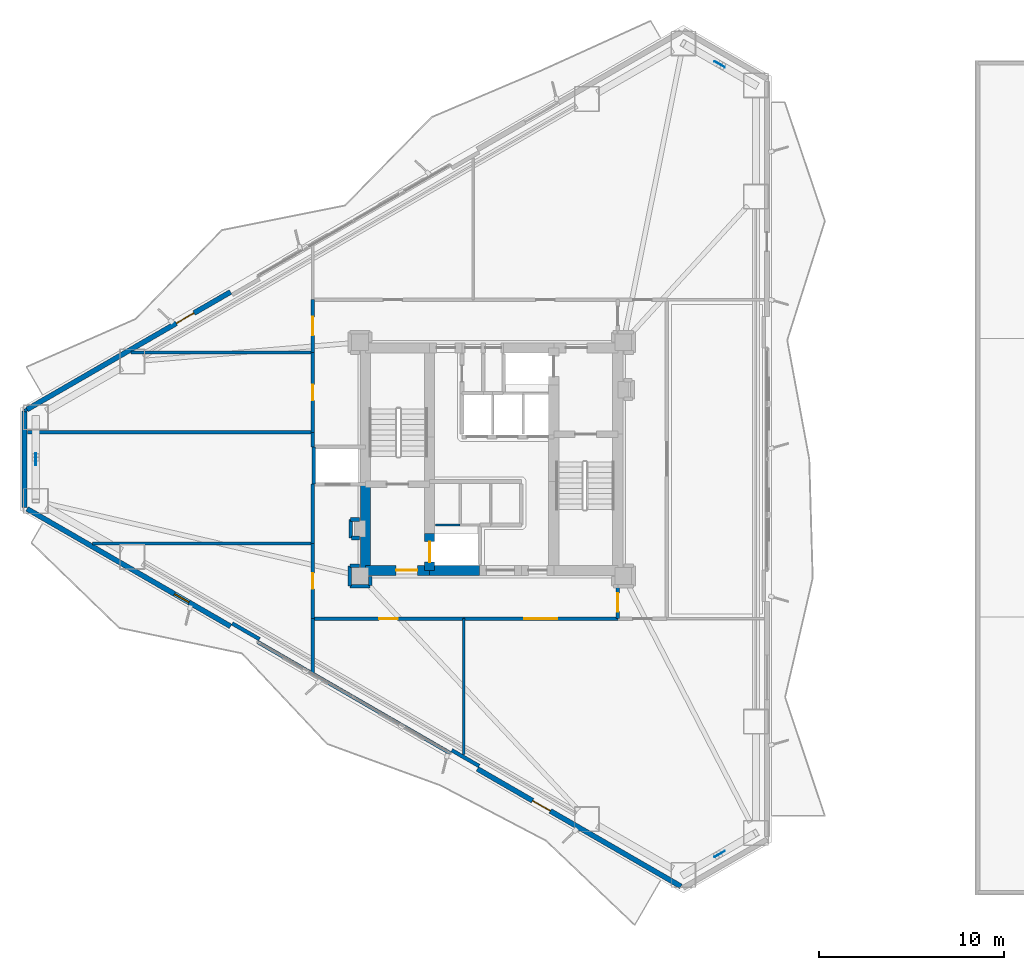
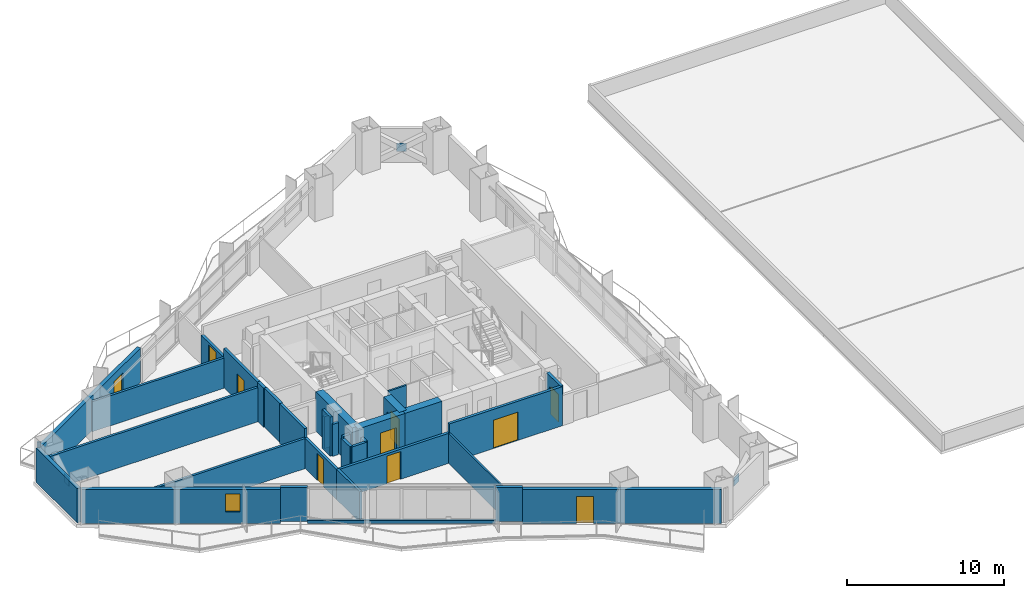
# One storey, part 11 of 16: 34 walls, 10 doors, 3 plates, 1 window, 11 openings.
"""IFC4 building model written with IfcOpenShell, lengths in metres."""

from ifc_helpers import new_model, si_unit, direction, frame, frame_2d, origin, origin_2d, place, context, subcontext, project, spatial, rectangle, extrude, material, layer, layer_set, type_object, element, fill, save


model = new_model("IFC4")

# Units and contexts
model_context = context("Model", 3, precision=1e-05, world=origin(), true_north=direction((0.0, 1.0)))
body_context = subcontext(model_context, "Body", "Model", "MODEL_VIEW")
ifc_project = project(units=[si_unit("LENGTHUNIT", "METRE"), si_unit("AREAUNIT", "SQUARE_METRE"), si_unit("VOLUMEUNIT", "CUBIC_METRE"), si_unit("PLANEANGLEUNIT", "RADIAN"), si_unit("MASSUNIT", "GRAM", prefix="KILO")], contexts=[model_context])

# Site, building, storey
site_placement = place(None, origin())
site = spatial("IfcSite", under=ifc_project, at=site_placement, CompositionType="ELEMENT")
building_placement = place(site_placement, origin())
building = spatial("IfcBuilding", under=site, at=building_placement, Name="Mersakhor Tower and Convention Hall", CompositionType="ELEMENT")
storey_placement = place(building_placement, frame((0.0, 0.0, 19.199951171875)))
storey = spatial("IfcBuildingStorey", under=building, at=storey_placement, Name="L04", CompositionType="ELEMENT", Elevation=19.199951171875)

# Plates
ifc_material_1 = material(Name="Steel S460", Category="steel")
ifc_layer_1 = layer(ifc_material_1, 0.0400390625)
ifc_layer_set_1 = layer_set([ifc_layer_1], Name="Steel S460")
plate_type = type_object("IfcPlateType", Name="PL-GUSSET-40", PredefinedType="SHEET", material=ifc_layer_set_1)
for number, where, z_axis, x_axis, name in (
    (1, (41.29345703125, 48.04296875, 1.2001953125), (0.0, 0.0, 1.0), (-0.866025403784, 0.5, 0.0), "L04 X-Brace Crossing Gusset Node Plate"),
    (2, (41.29345703125, 5.45703125, 1.2001953125), (0.0, 0.0, 1.0), (0.866025403784, 0.5, 0.0), "L04 X-Brace Crossing Gusset Node Plate"),
    (3, (4.4130859375, 26.75, 1.2001953125), (0.0, 0.0, 1.0), (0.0, -1.0, 0.0), "L04 X-Brace Crossing Gusset Node Plate"),
):
    element("IfcPlate", number, at=place(storey_placement, frame(where, z_axis=z_axis, x_axis=x_axis)), inside=storey, type_object=plate_type, Name=name, PredefinedType="SHEET", context=body_context, shape_type="SweptSolid", body=[
        extrude(rectangle(XDim=0.639892578125, YDim=0.0400390625, at=origin_2d()), origin(), (0.0, 0.0, 1.0), 0.639892578125),
    ])

# Wall
ifc_material_2 = material(Name="Precast concrete C45/55", Category="concrete")
ifc_layer_2 = layer(ifc_material_2, 0.27490234375)
ifc_layer_set_2 = layer_set([ifc_layer_2], Name="Precast concrete C45/55")
wall_type_1 = type_object("IfcWallType", Name="WL-EXT-275", PredefinedType="SOLIDWALL", material=ifc_layer_set_2)
wall_1_placement = place(storey_placement, frame((3.81298828125, 24.144287109375, 0.0), z_axis=(0.0, 0.0, 1.0), x_axis=(0.0, 1.0, 0.0)))
element("IfcWall", 4, at=wall_1_placement, inside=storey, type_object=wall_type_1, Name="L04 Chamfer Braced Spandrel Wall C3", PredefinedType="SOLIDWALL", context=body_context, shape_type="SweptSolid", body=[
    extrude(rectangle(XDim=5.21142578125, YDim=0.27490234375, at=frame_2d((2.605712890625, 0.0))), origin(), (0.0, 0.0, 1.0), 2.66015625),
])

# Wall, opening, door
wall_2_placement = place(storey_placement, frame((3.943115234375, 29.4306640625, 0.0), z_axis=(0.0, 0.0, 1.0), x_axis=(0.866027105532, 0.499997052475, 0.0)))
wall_2 = element("IfcWall", 5, at=wall_2_placement, inside=storey, type_object=wall_type_1, Name="L04 Exterior Facade Wall F1-B1", PredefinedType="SOLIDWALL", context=body_context, shape_type="SweptSolid", body=[
    extrude(rectangle(XDim=12.6728515625, YDim=0.27490234375, at=frame_2d((6.33642578125, 0.0))), origin(), (0.0, 0.0, 1.0), 2.66015625),
])
opening_1_placement = place(wall_2_placement, frame((9.298095703125, 0.0, 0.0)))
opening_1 = element("IfcOpeningElement", 6, at=opening_1_placement, cuts=wall_2, Name="Opening BD-02", PredefinedType="OPENING", context=body_context, shape_type="SweptSolid", body=[
    extrude(rectangle(XDim=1.10009765625, YDim=2.10009765625, at=frame_2d((0.550048828125, 1.050048828125))), frame((0.0, 0.1474609375, 0.0), z_axis=(0.0, -1.0, 0.0), x_axis=(1.0, 0.0, 0.0)), (0.0, 0.0, 1.0), 0.294921875),
])
ifc_material_3 = material(Name="Thermally broken dark aluminium and safety glass", Category="aluminium")
door_type_1 = type_object("IfcDoorType", Name="DR-BAL-110x210", OperationType="NOTDEFINED", PredefinedType="DOOR", material=ifc_material_3)
door_1_placement = place(opening_1_placement, origin())
door_1 = element("IfcDoor", 7, at=door_1_placement, inside=storey, type_object=door_type_1, Name="L04 Balcony Terrace Door F1-B1", OperationType="SINGLE_SWING_RIGHT", OverallHeight=2.10009765625, OverallWidth=1.10009765625, PredefinedType="DOOR", context=body_context, shape_type="SweptSolid", body=[
    extrude(rectangle(XDim=1.10009765625, YDim=2.10009765625, at=frame_2d((0.550048828125, 1.050048828125))), frame((0.0, 0.02490234375, 0.0), z_axis=(0.0, -1.0, 0.0), x_axis=(1.0, 0.0, 0.0)), (0.0, 0.0, 1.0), 0.050048828125),
])
fill(opening_1, door_1)

wall_3_placement = place(storey_placement, frame((39.20703125, 3.709716796875, 0.0), z_axis=(0.0, 0.0, 1.0), x_axis=(-0.86603192154, 0.499988710747, 0.0)))
wall_3 = element("IfcWall", 8, at=wall_3_placement, inside=storey, type_object=wall_type_1, Name="L04 Exterior Facade Wall F3-B1", PredefinedType="SOLIDWALL", context=body_context, shape_type="SweptSolid", body=[
    extrude(rectangle(XDim=12.673095703125, YDim=0.27490234375, at=frame_2d((6.33642578125, 0.0))), origin(), (0.0, 0.0, 1.0), 2.66015625),
])
opening_2_placement = place(wall_3_placement, frame((8.135986328125, 0.0, 0.0)))
opening_2 = element("IfcOpeningElement", 9, at=opening_2_placement, cuts=wall_3, Name="Opening BD-02", PredefinedType="OPENING", context=body_context, shape_type="SweptSolid", body=[
    extrude(rectangle(XDim=1.10009765625, YDim=2.10009765625, at=frame_2d((0.550048828125, 1.050048828125))), frame((0.0, 0.1474609375, 0.0), z_axis=(0.0, -1.0, 0.0), x_axis=(1.0, 0.0, 0.0)), (0.0, 0.0, 1.0), 0.294921875),
])
door_2_placement = place(opening_2_placement, origin())
door_2 = element("IfcDoor", 10, at=door_2_placement, inside=storey, type_object=door_type_1, Name="L04 Balcony Terrace Door F3-B1", OperationType="SINGLE_SWING_RIGHT", OverallHeight=2.10009765625, OverallWidth=1.10009765625, PredefinedType="DOOR", context=body_context, shape_type="SweptSolid", body=[
    extrude(rectangle(XDim=1.10009765625, YDim=2.10009765625, at=frame_2d((0.550048828125, 1.050048828125))), frame((0.0, 0.02490234375, 0.0), z_axis=(0.0, -1.0, 0.0), x_axis=(1.0, 0.0, 0.0)), (0.0, 0.0, 1.0), 0.050048828125),
])
fill(opening_2, door_2)

# Wall, opening, window
wall_4_placement = place(storey_placement, frame((14.918212890625, 17.73291015625, 0.0), z_axis=(0.0, 0.0, 1.0), x_axis=(-0.866027105532, 0.499997052475, 0.0)))
wall_4 = element("IfcWall", 11, at=wall_4_placement, inside=storey, type_object=wall_type_1, Name="L04 Exterior Facade Wall F3-B3", PredefinedType="SOLIDWALL", context=body_context, shape_type="SweptSolid", body=[
    extrude(rectangle(XDim=12.6728515625, YDim=0.27490234375, at=frame_2d((6.33642578125, 0.0))), origin(), (0.0, 0.0, 1.0), 2.66015625),
])
opening_3_placement = place(wall_4_placement, frame((2.590087890625, 0.0, 0.89990234375)))
opening_3 = element("IfcOpeningElement", 12, at=opening_3_placement, cuts=wall_4, Name="Opening W-06", PredefinedType="OPENING", context=body_context, shape_type="SweptSolid", body=[
    extrude(rectangle(XDim=0.89990234375, YDim=1.39990234375, at=frame_2d((0.449951171875, 0.699951171875))), frame((0.0, 0.1474609375, 0.0), z_axis=(0.0, -1.0, 0.0), x_axis=(1.0, 0.0, 0.0)), (0.0, 0.0, 1.0), 0.294921875),
])
ifc_material_4 = material(Name="Dark solar low-E glazed aluminium window", Category="aluminium")
window_type = type_object("IfcWindowType", Name="WN-STD-090x140", PartitioningType="SINGLE_PANEL", PredefinedType="WINDOW", material=ifc_material_4)
window_placement = place(opening_3_placement, origin())
window = element("IfcWindow", 13, at=window_placement, inside=storey, type_object=window_type, Name="L04 Facade Punched Window F3-B3", OverallHeight=1.39990234375, OverallWidth=0.89990234375, PartitioningType="SINGLE_PANEL", PredefinedType="WINDOW", context=body_context, shape_type="SweptSolid", body=[
    extrude(rectangle(XDim=0.89990234375, YDim=1.39990234375, at=frame_2d((0.449951171875, 0.699951171875))), frame((0.0, 0.030029296875, 0.0), z_axis=(0.0, -1.0, 0.0), x_axis=(1.0, 0.0, 0.0)), (0.0, 0.0, 1.0), 0.06005859375),
])
fill(opening_3, window)

# Walls
ifc_material_5 = material(Name="Precast concrete C40/50", Category="concrete")
ifc_layer_3 = layer(ifc_material_5, 0.199951171875)
ifc_layer_set_3 = layer_set([ifc_layer_3], Name="Precast concrete C40/50")
wall_type_2 = type_object("IfcWallType", Name="WL-PAR-200", PredefinedType="PARAPET", material=ifc_layer_set_3)
wall_5_placement = place(storey_placement, frame((26.759521484375, 10.896240234375, 0.0), z_axis=(0.0, 0.0, 1.0), x_axis=(-0.866027351828, 0.499996625875, 0.0)))
element("IfcWall", 14, at=wall_5_placement, inside=storey, type_object=wall_type_2, Name="L04 Curtain Wall Upstand Sill F3-B2", PredefinedType="PARAPET", context=body_context, shape_type="SweptSolid", body=[
    extrude(rectangle(XDim=11.97314453125, YDim=0.199951171875, at=frame_2d((5.986572265625, 0.0))), origin(), (0.0, 0.0, 1.0), 0.199951171875),
])
for number, where, z_axis, x_axis, name in (
    (15, (28.32177734375, 10.2021484375, 0.0), (0.0, 0.0, 1.0), (-0.86605165483, 0.499954529098, 0.0), "L04 Column Pier Cladding Wall F3-C1"),
    (16, (16.48046875, 17.038818359375, 0.0), (0.0, 0.0, 1.0), (-0.86605165483, 0.499954529098, 0.0), "L04 Column Pier Cladding Wall F3-C2"),
):
    element("IfcWall", number, at=place(storey_placement, frame(where, z_axis=z_axis, x_axis=x_axis)), inside=storey, type_object=wall_type_2, Name=name, PredefinedType="PARAPET", context=body_context, shape_type="SweptSolid", body=[
        extrude(rectangle(XDim=1.699951171875, YDim=0.199951171875, at=frame_2d((0.85009765625, 0.0))), origin(), (0.0, 0.0, 1.0), 2.66015625),
    ])
ifc_material_6 = material(Name="Moisture-resistant acoustic drywall studwork", Category="other")
ifc_layer_4 = layer(ifc_material_6, 0.175048828125)
ifc_layer_set_4 = layer_set([ifc_layer_4], Name="Moisture-resistant acoustic drywall studwork")
wall_type_3 = type_object("IfcWallType", Name="WL-PLM-175", PredefinedType="PLUMBINGWALL", material=ifc_layer_set_4)
wall_6_placement = place(storey_placement, frame((19.35009765625, 18.14990234375, 0.0), z_axis=(0.0, 0.0, 1.0), x_axis=(0.0, -1.0, 0.0)))
element("IfcWall", 17, at=wall_6_placement, inside=storey, type_object=wall_type_3, Name="L04 Interior Partition Wall P-057", PredefinedType="PLUMBINGWALL", context=body_context, shape_type="SweptSolid", body=[
    extrude(rectangle(XDim=2.9296875, YDim=0.175048828125, at=frame_2d((1.46484375, 0.0))), origin(), (0.0, 0.0, 1.0), 2.364990234375),
])
wall_7_placement = place(storey_placement, frame((7.474365234375, 22.199951171875, 0.0), z_axis=(0.0, 0.0, 1.0), x_axis=(1.0, 0.0, 0.0)))
element("IfcWall", 18, at=wall_7_placement, inside=storey, type_object=wall_type_3, Name="L04 Interior Partition Wall P-058", PredefinedType="PLUMBINGWALL", context=body_context, shape_type="SweptSolid", body=[
    extrude(rectangle(XDim=11.875732421875, YDim=0.175048828125, at=frame_2d((5.93798828125, 0.0))), origin(), (0.0, 0.0, 1.0), 2.337646484375),
])
wall_8_placement = place(storey_placement, frame((9.552734375, 32.5, 0.0), z_axis=(0.0, 0.0, 1.0), x_axis=(1.0, 0.0, 0.0)))
element("IfcWall", 19, at=wall_8_placement, inside=storey, type_object=wall_type_3, Name="L04 Interior Partition Wall P-059", PredefinedType="PLUMBINGWALL", context=body_context, shape_type="SweptSolid", body=[
    extrude(rectangle(XDim=9.79736328125, YDim=0.175048828125, at=frame_2d((4.898681640625, 0.0))), origin(), (0.0, 0.0, 1.0), 2.337646484375),
])
wall_9_placement = place(storey_placement, frame((19.35009765625, 28.199951171875, 0.0), z_axis=(0.0, 0.0, 1.0), x_axis=(-1.0, 0.0, 0.0)))
element("IfcWall", 20, at=wall_9_placement, inside=storey, type_object=wall_type_3, Name="L04 Interior Partition Wall P-060", PredefinedType="PLUMBINGWALL", context=body_context, shape_type="SweptSolid", body=[
    extrude(rectangle(XDim=15.37548828125, YDim=0.175048828125, at=frame_2d((7.687744140625, 0.0))), origin(), (0.0, 0.0, 1.0), 2.650390625),
])
wall_10_placement = place(storey_placement, frame((3.81298828125, 29.35595703125, 0.0), z_axis=(0.0, 0.0, 1.0), x_axis=(0.866131372301, 0.499816412211, 0.0)))
element("IfcWall", 21, at=wall_10_placement, inside=storey, type_object=wall_type_3, Name="L04 Interior Partition Wall P-061", PredefinedType="PLUMBINGWALL", context=body_context, shape_type="SweptSolid", body=[
    extrude(rectangle(XDim=0.14990234375, YDim=0.175048828125, at=frame_2d((0.074951171875, 0.0))), origin(), (0.0, 0.0, 1.0), 3.0400390625),
])
ifc_material_7 = material(Name="Gypsum board acoustic partition", Category="other")
ifc_layer_5 = layer(ifc_material_7, 0.125)
ifc_layer_set_5 = layer_set([ifc_layer_5], Name="Gypsum board acoustic partition")
wall_type_4 = type_object("IfcWallType", Name="WL-PRT-125", PredefinedType="PARTITIONING", material=ifc_layer_set_5)
wall_11_placement = place(storey_placement, frame((25.97509765625, 23.199951171875, 0.0), z_axis=(0.0, 0.0, 1.0), x_axis=(1.0, 0.0, 0.0)))
element("IfcWall", 22, at=wall_11_placement, inside=storey, type_object=wall_type_4, Name="L04 Interior Partition Wall P-001", PredefinedType="PARTITIONING", context=body_context, shape_type="SweptSolid", body=[
    extrude(rectangle(XDim=1.324951171875, YDim=0.125, at=frame_2d((0.66259765625, 0.0))), origin(), (0.0, 0.0, 1.0), 3.0400390625),
])
wall_12_placement = place(storey_placement, frame((27.5, 10.819580078125, 0.0), z_axis=(0.0, 0.0, 1.0), x_axis=(0.0, 1.0, 0.0)))
element("IfcWall", 23, at=wall_12_placement, inside=storey, type_object=wall_type_4, Name="L04 Interior Partition Wall P-067", PredefinedType="PARTITIONING", context=body_context, shape_type="SweptSolid", body=[
    extrude(rectangle(XDim=7.330322265625, YDim=0.125, at=frame_2d((3.6650390625, 0.0))), origin(), (0.0, 0.0, 1.0), 2.337646484375),
])
ifc_material_8 = material(Name="Acoustic concrete blockwork and gypsum board", Category="masonry")
ifc_layer_6 = layer(ifc_material_8, 0.199951171875)
ifc_layer_set_6 = layer_set([ifc_layer_6], Name="Acoustic concrete blockwork and gypsum board")
wall_type_5 = type_object("IfcWallType", Name="WL-PRT-200", PredefinedType="PARTITIONING", material=ifc_layer_set_6)
wall_13_placement = place(storey_placement, frame((19.39990234375, 25.39990234375, 0.0), z_axis=(0.0, 0.0, 1.0), x_axis=(0.0, 1.0, 0.0)))
element("IfcWall", 24, at=wall_13_placement, inside=storey, type_object=wall_type_5, Name="L04 Clinic Lift West Wall", PredefinedType="PARTITIONING", context=body_context, shape_type="SweptSolid", body=[
    extrude(rectangle(XDim=2.0, YDim=0.199951171875, at=frame_2d((1.0, 0.0))), origin(), (0.0, 0.0, 1.0), 3.0400390625),
])
wall_14_placement = place(storey_placement, frame((21.875, 21.0, 0.0), z_axis=(0.0, 0.0, 1.0), x_axis=(-1.0, 0.0, 0.0)))
element("IfcWall", 25, at=wall_14_placement, inside=storey, type_object=wall_type_5, Name="L04 Interior Partition Wall P-019", PredefinedType="PARTITIONING", context=body_context, shape_type="SweptSolid", body=[
    extrude(rectangle(XDim=0.52490234375, YDim=0.199951171875, at=frame_2d((0.262451171875, 0.0))), origin(), (0.0, 0.0, 1.0), 2.48828125),
])
wall_15_placement = place(storey_placement, frame((21.35009765625, 21.0, 0.0), z_axis=(0.0, 0.0, 1.0), x_axis=(0.0, -1.0, 0.0)))
element("IfcWall", 26, at=wall_15_placement, inside=storey, type_object=wall_type_5, Name="L04 Interior Partition Wall P-020", PredefinedType="PARTITIONING", context=body_context, shape_type="SweptSolid", body=[
    extrude(rectangle(XDim=1.10009765625, YDim=0.199951171875, at=frame_2d((0.550048828125, 0.0))), origin(), (0.0, 0.0, 1.0), 2.337646484375),
])
wall_16_placement = place(storey_placement, frame((21.35009765625, 19.89990234375, 0.0), z_axis=(0.0, 0.0, 1.0), x_axis=(1.0, 0.0, 0.0)))
element("IfcWall", 27, at=wall_16_placement, inside=storey, type_object=wall_type_5, Name="L04 Interior Partition Wall P-021", PredefinedType="PARTITIONING", context=body_context, shape_type="SweptSolid", body=[
    extrude(rectangle(XDim=1.099853515625, YDim=0.199951171875, at=frame_2d((0.5498046875, 0.0))), origin(), (0.0, 0.0, 1.0), 2.337646484375),
])
wall_17_placement = place(storey_placement, frame((22.449951171875, 19.929931640625, 0.0), z_axis=(0.0, 0.0, 1.0), x_axis=(0.0, 1.0, 0.0)))
element("IfcWall", 28, at=wall_17_placement, inside=storey, type_object=wall_type_5, Name="L04 Interior Partition Wall P-022", PredefinedType="PARTITIONING", context=body_context, shape_type="SweptSolid", body=[
    extrude(rectangle(XDim=0.4951171875, YDim=0.199951171875, at=frame_2d((0.24755859375, 0.0))), origin(), (0.0, 0.0, 1.0), 2.337646484375),
])

# Wall, opening, door
wall_18_placement = place(storey_placement, frame((35.800048828125, 19.89990234375, 0.0), z_axis=(0.0, 0.0, 1.0), x_axis=(0.0, -1.0, 0.0)))
wall_18 = element("IfcWall", 29, at=wall_18_placement, inside=storey, type_object=wall_type_5, Name="L04 Interior Partition Wall P-025", PredefinedType="PARTITIONING", context=body_context, shape_type="SweptSolid", body=[
    extrude(rectangle(XDim=1.75, YDim=0.199951171875, at=frame_2d((0.875, 0.0))), origin(), (0.0, 0.0, 1.0), 3.0400390625),
])
opening_4_placement = place(wall_18_placement, frame((0.375, 0.0, 0.0)))
opening_4 = element("IfcOpeningElement", 30, at=opening_4_placement, cuts=wall_18, Name="Opening FD-01", PredefinedType="OPENING", context=body_context, shape_type="SweptSolid", body=[
    extrude(rectangle(XDim=1.0, YDim=2.14990234375, at=frame_2d((0.5, 1.074951171875))), frame((0.0, 0.10986328125, 0.0), z_axis=(0.0, -1.0, 0.0), x_axis=(1.0, 0.0, 0.0)), (0.0, 0.0, 1.0), 0.219970703125),
])
ifc_material_9 = material(Name="Fire-rated hardwood leaf and painted steel frame", Category="steel")
door_type_2 = type_object("IfcDoorType", Name="DR-INT-FLT-100x215", OperationType="NOTDEFINED", PredefinedType="DOOR", material=ifc_material_9)
door_3_placement = place(opening_4_placement, origin())
door_3 = element("IfcDoor", 31, at=door_3_placement, inside=storey, type_object=door_type_2, Name="L04 Ring Corridor Fire Door", OperationType="SINGLE_SWING_LEFT", OverallHeight=2.14990234375, OverallWidth=1.0, PredefinedType="DOOR", context=body_context, shape_type="SweptSolid", body=[
    extrude(rectangle(XDim=1.0, YDim=2.14990234375, at=frame_2d((0.5, 1.074951171875))), frame((0.0, 0.02490234375, 0.0), z_axis=(0.0, -1.0, 0.0), x_axis=(1.0, 0.0, 0.0)), (0.0, 0.0, 1.0), 0.050048828125),
])
fill(opening_4, door_3)

wall_19_placement = place(storey_placement, frame((35.800048828125, 18.14990234375, 0.0), z_axis=(0.0, 0.0, 1.0), x_axis=(-1.0, 0.0, 0.0)))
wall_19 = element("IfcWall", 32, at=wall_19_placement, inside=storey, type_object=wall_type_5, Name="L04 Interior Partition Wall P-026", PredefinedType="PARTITIONING", context=body_context, shape_type="SweptSolid", body=[
    extrude(rectangle(XDim=8.300048828125, YDim=0.199951171875, at=frame_2d((4.14990234375, 0.0))), origin(), (0.0, 0.0, 1.0), 3.0400390625),
])
opening_5_placement = place(wall_19_placement, frame((3.25, 0.0, 0.0)))
opening_5 = element("IfcOpeningElement", 33, at=opening_5_placement, cuts=wall_19, Name="Opening HD-01", PredefinedType="OPENING", context=body_context, shape_type="SweptSolid", body=[
    extrude(rectangle(XDim=1.800048828125, YDim=2.199951171875, at=frame_2d((0.89990234375, 1.10009765625))), frame((0.0, 0.10986328125, 0.0), z_axis=(0.0, -1.0, 0.0), x_axis=(1.0, 0.0, 0.0)), (0.0, 0.0, 1.0), 0.219970703125),
])
ifc_material_10 = material(Name="Fire-rated hardwood leaf and painted steel frame", Category="steel")
door_type_3 = type_object("IfcDoorType", Name="DR-INT-HALL-180x220", OperationType="NOTDEFINED", PredefinedType="DOOR", material=ifc_material_10)
door_4_placement = place(opening_5_placement, origin())
door_4 = element("IfcDoor", 34, at=door_4_placement, inside=storey, type_object=door_type_3, Name="L04 L04 Sky-Lobby Corridor to Community Health Seminar Room Door", OperationType="DOUBLE_DOOR_SINGLE_SWING", OverallHeight=2.199951171875, OverallWidth=1.800048828125, PredefinedType="DOOR", context=body_context, shape_type="SweptSolid", body=[
    extrude(rectangle(XDim=1.800048828125, YDim=2.199951171875, at=frame_2d((0.89990234375, 1.10009765625))), frame((0.0, 0.02490234375, 0.0), z_axis=(0.0, -1.0, 0.0), x_axis=(1.0, 0.0, 0.0)), (0.0, 0.0, 1.0), 0.050048828125),
])
fill(opening_5, door_4)

wall_20_placement = place(storey_placement, frame((27.5, 18.14990234375, 0.0), z_axis=(0.0, 0.0, 1.0), x_axis=(-1.0, 0.0, 0.0)))
wall_20 = element("IfcWall", 35, at=wall_20_placement, inside=storey, type_object=wall_type_5, Name="L04 Interior Partition Wall P-027", PredefinedType="PARTITIONING", context=body_context, shape_type="SweptSolid", body=[
    extrude(rectangle(XDim=8.14990234375, YDim=0.199951171875, at=frame_2d((4.074951171875, 0.0))), origin(), (0.0, 0.0, 1.0), 2.337646484375),
])
opening_6_placement = place(wall_20_placement, frame((3.574951171875, 0.0, 0.0)))
opening_6 = element("IfcOpeningElement", 36, at=opening_6_placement, cuts=wall_20, Name="Opening FD-01", PredefinedType="OPENING", context=body_context, shape_type="SweptSolid", body=[
    extrude(rectangle(XDim=1.0, YDim=2.14990234375, at=frame_2d((0.5, 1.074951171875))), frame((0.0, 0.10986328125, 0.0), z_axis=(0.0, -1.0, 0.0), x_axis=(1.0, 0.0, 0.0)), (0.0, 0.0, 1.0), 0.219970703125),
])
door_5_placement = place(opening_6_placement, origin())
door_5 = element("IfcDoor", 37, at=door_5_placement, inside=storey, type_object=door_type_2, Name="L04 L04 Sky-Lobby Corridor to Youth Craft Studio Workshop Door", OperationType="SINGLE_SWING_RIGHT", OverallHeight=2.14990234375, OverallWidth=1.0, PredefinedType="DOOR", context=body_context, shape_type="SweptSolid", body=[
    extrude(rectangle(XDim=1.0, YDim=2.14990234375, at=frame_2d((0.5, 1.074951171875))), frame((0.0, 0.02490234375, 0.0), z_axis=(0.0, -1.0, 0.0), x_axis=(1.0, 0.0, 0.0)), (0.0, 0.0, 1.0), 0.050048828125),
])
fill(opening_6, door_5)

wall_21_placement = place(storey_placement, frame((19.35009765625, 18.14990234375, 0.0), z_axis=(0.0, 0.0, 1.0), x_axis=(0.0, 1.0, 0.0)))
wall_21 = element("IfcWall", 38, at=wall_21_placement, inside=storey, type_object=wall_type_5, Name="L04 Interior Partition Wall P-028", PredefinedType="PARTITIONING", context=body_context, shape_type="SweptSolid", body=[
    extrude(rectangle(XDim=4.050048828125, YDim=0.199951171875, at=frame_2d((2.02490234375, 0.0))), origin(), (0.0, 0.0, 1.0), 2.337646484375),
])
opening_7_placement = place(wall_21_placement, frame((1.60009765625, 0.0, 0.0)))
opening_7 = element("IfcOpeningElement", 39, at=opening_7_placement, cuts=wall_21, Name="Opening SVD-01", PredefinedType="OPENING", context=body_context, shape_type="SweptSolid", body=[
    extrude(rectangle(XDim=0.85009765625, YDim=2.10009765625, at=frame_2d((0.425048828125, 1.050048828125))), frame((0.0, 0.10986328125, 0.0), z_axis=(0.0, -1.0, 0.0), x_axis=(1.0, 0.0, 0.0)), (0.0, 0.0, 1.0), 0.219970703125),
])
ifc_material_11 = material(Name="Fire-rated hardwood leaf and painted steel frame", Category="steel")
door_type_4 = type_object("IfcDoorType", Name="DR-INT-SVC-085x210", OperationType="NOTDEFINED", PredefinedType="DOOR", material=ifc_material_11)
door_6_placement = place(opening_7_placement, origin())
door_6 = element("IfcDoor", 40, at=door_6_placement, inside=storey, type_object=door_type_4, Name="L04 L04 Sky-Lobby Corridor to Podium Public Restrooms Door", OperationType="SINGLE_SWING_LEFT", OverallHeight=2.10009765625, OverallWidth=0.85009765625, PredefinedType="DOOR", context=body_context, shape_type="SweptSolid", body=[
    extrude(rectangle(XDim=0.85009765625, YDim=2.10009765625, at=frame_2d((0.425048828125, 1.050048828125))), frame((0.0, 0.02490234375, 0.0), z_axis=(0.0, -1.0, 0.0), x_axis=(1.0, 0.0, 0.0)), (0.0, 0.0, 1.0), 0.050048828125),
])
fill(opening_7, door_6)

# Walls
wall_22_placement = place(storey_placement, frame((19.35009765625, 22.199951171875, 0.0), z_axis=(0.0, 0.0, 1.0), x_axis=(0.0, 1.0, 0.0)))
element("IfcWall", 41, at=wall_22_placement, inside=storey, type_object=wall_type_5, Name="L04 Interior Partition Wall P-029", PredefinedType="PARTITIONING", context=body_context, shape_type="SweptSolid", body=[
    extrude(rectangle(XDim=3.199951171875, YDim=0.199951171875, at=frame_2d((1.60009765625, 0.0))), origin(), (0.0, 0.0, 1.0), 3.0400390625),
])
wall_23_placement = place(storey_placement, frame((19.35009765625, 27.39990234375, 0.0), z_axis=(0.0, 0.0, 1.0), x_axis=(0.0, 1.0, 0.0)))
element("IfcWall", 42, at=wall_23_placement, inside=storey, type_object=wall_type_5, Name="L04 Interior Partition Wall P-030", PredefinedType="PARTITIONING", context=body_context, shape_type="SweptSolid", body=[
    extrude(rectangle(XDim=0.800048828125, YDim=0.199951171875, at=frame_2d((0.39990234375, 0.0))), origin(), (0.0, 0.0, 1.0), 3.0400390625),
])

# Wall, opening, door
wall_24_placement = place(storey_placement, frame((19.35009765625, 28.199951171875, 0.0), z_axis=(0.0, 0.0, 1.0), x_axis=(0.0, 1.0, 0.0)))
wall_24 = element("IfcWall", 43, at=wall_24_placement, inside=storey, type_object=wall_type_5, Name="L04 Interior Partition Wall P-031", PredefinedType="PARTITIONING", context=body_context, shape_type="SweptSolid", body=[
    extrude(rectangle(XDim=4.300048828125, YDim=0.199951171875, at=frame_2d((2.14990234375, 0.0))), origin(), (0.0, 0.0, 1.0), 3.0400390625),
])
opening_8_placement = place(wall_24_placement, frame((1.72509765625, 0.0, 0.0)))
opening_8 = element("IfcOpeningElement", 44, at=opening_8_placement, cuts=wall_24, Name="Opening SVD-01", PredefinedType="OPENING", context=body_context, shape_type="SweptSolid", body=[
    extrude(rectangle(XDim=0.85009765625, YDim=2.10009765625, at=frame_2d((0.425048828125, 1.050048828125))), frame((0.0, 0.10986328125, 0.0), z_axis=(0.0, -1.0, 0.0), x_axis=(1.0, 0.0, 0.0)), (0.0, 0.0, 1.0), 0.219970703125),
])
door_7_placement = place(opening_8_placement, origin())
door_7 = element("IfcDoor", 45, at=door_7_placement, inside=storey, type_object=door_type_4, Name="L04 L04 Sky-Lobby Corridor to Podium Accessible Toilet WC Door", OperationType="SINGLE_SWING_RIGHT", OverallHeight=2.10009765625, OverallWidth=0.85009765625, PredefinedType="DOOR", context=body_context, shape_type="SweptSolid", body=[
    extrude(rectangle(XDim=0.85009765625, YDim=2.10009765625, at=frame_2d((0.425048828125, 1.050048828125))), frame((0.0, 0.02490234375, 0.0), z_axis=(0.0, -1.0, 0.0), x_axis=(1.0, 0.0, 0.0)), (0.0, 0.0, 1.0), 0.050048828125),
])
fill(opening_8, door_7)

wall_25_placement = place(storey_placement, frame((19.35009765625, 32.5, 0.0), z_axis=(0.0, 0.0, 1.0), x_axis=(0.0, 1.0, 0.0)))
wall_25 = element("IfcWall", 46, at=wall_25_placement, inside=storey, type_object=wall_type_5, Name="L04 Interior Partition Wall P-032", PredefinedType="PARTITIONING", context=body_context, shape_type="SweptSolid", body=[
    extrude(rectangle(XDim=2.85009765625, YDim=0.199951171875, at=frame_2d((1.425048828125, 0.0))), origin(), (0.0, 0.0, 1.0), 2.337646484375),
])
opening_9_placement = place(wall_25_placement, frame((0.925048828125, 0.0, 0.0)))
opening_9 = element("IfcOpeningElement", 47, at=opening_9_placement, cuts=wall_25, Name="Opening FD-01", PredefinedType="OPENING", context=body_context, shape_type="SweptSolid", body=[
    extrude(rectangle(XDim=1.0, YDim=2.14990234375, at=frame_2d((0.5, 1.074951171875))), frame((0.0, 0.10986328125, 0.0), z_axis=(0.0, -1.0, 0.0), x_axis=(1.0, 0.0, 0.0)), (0.0, 0.0, 1.0), 0.219970703125),
])
door_8_placement = place(opening_9_placement, origin())
door_8 = element("IfcDoor", 48, at=door_8_placement, inside=storey, type_object=door_type_2, Name="L04 L04 Sky-Lobby Corridor to Parents Waiting Lounge Door", OperationType="SINGLE_SWING_LEFT", OverallHeight=2.14990234375, OverallWidth=1.0, PredefinedType="DOOR", context=body_context, shape_type="SweptSolid", body=[
    extrude(rectangle(XDim=1.0, YDim=2.14990234375, at=frame_2d((0.5, 1.074951171875))), frame((0.0, 0.02490234375, 0.0), z_axis=(0.0, -1.0, 0.0), x_axis=(1.0, 0.0, 0.0)), (0.0, 0.0, 1.0), 0.050048828125),
])
fill(opening_9, door_8)

# Walls
wall_26_placement = place(storey_placement, frame((21.875, 23.5, 0.0), z_axis=(0.0, 0.0, 1.0), x_axis=(-1.0, 0.0, 0.0)))
element("IfcWall", 49, at=wall_26_placement, inside=storey, type_object=wall_type_5, Name="L04 Interior Partition Wall P-042", PredefinedType="PARTITIONING", context=body_context, shape_type="SweptSolid", body=[
    extrude(rectangle(XDim=0.47509765625, YDim=0.199951171875, at=frame_2d((0.237548828125, 0.0))), origin(), (0.0, 0.0, 1.0), 2.48828125),
])
wall_27_placement = place(storey_placement, frame((21.39990234375, 23.5, 0.0), z_axis=(0.0, 0.0, 1.0), x_axis=(0.0, -1.0, 0.0)))
element("IfcWall", 50, at=wall_27_placement, inside=storey, type_object=wall_type_5, Name="L04 Interior Partition Wall P-043", PredefinedType="PARTITIONING", context=body_context, shape_type="SweptSolid", body=[
    extrude(rectangle(XDim=1.0, YDim=0.199951171875, at=frame_2d((0.5, 0.0))), origin(), (0.0, 0.0, 1.0), 3.0400390625),
])
wall_28_placement = place(storey_placement, frame((21.429931640625, 22.5, 0.0), z_axis=(0.0, 0.0, 1.0), x_axis=(1.0, 0.0, 0.0)))
element("IfcWall", 51, at=wall_28_placement, inside=storey, type_object=wall_type_5, Name="L04 Interior Partition Wall P-044", PredefinedType="PARTITIONING", context=body_context, shape_type="SweptSolid", body=[
    extrude(rectangle(XDim=0.445068359375, YDim=0.199951171875, at=frame_2d((0.22265625, 0.0))), origin(), (0.0, 0.0, 1.0), 2.48828125),
])
ifc_material_12 = material(Name="Concrete C70/85", Category="concrete")
ifc_layer_7 = layer(ifc_material_12, 0.550048828125)
ifc_layer_set_7 = layer_set([ifc_layer_7], Name="Concrete C70/85")
wall_type_6 = type_object("IfcWallType", Name="WL-SHR-550", PredefinedType="SHEAR", material=ifc_layer_set_7)
wall_29_placement = place(storey_placement, frame((22.199951171875, 20.75, 0.0), z_axis=(0.0, 0.0, 1.0), x_axis=(0.0, 1.0, 0.0)))
element("IfcWall", 52, at=wall_29_placement, inside=storey, type_object=wall_type_6, Name="L04 Core Wall CW-W1", PredefinedType="SHEAR", context=body_context, shape_type="SweptSolid", body=[
    extrude(rectangle(XDim=4.64990234375, YDim=0.550048828125, at=frame_2d((2.324951171875, 0.0))), origin(), (0.0, 0.0, 1.0), 3.0400390625),
])
wall_30_placement = place(storey_placement, frame((28.35009765625, 20.75, 0.0), z_axis=(0.0, 0.0, 1.0), x_axis=(-1.0, 0.0, 0.0)))
element("IfcWall", 53, at=wall_30_placement, inside=storey, type_object=wall_type_6, Name="L04 Core Wall CW-S3", PredefinedType="SHEAR", context=body_context, shape_type="SweptSolid", body=[
    extrude(rectangle(XDim=2.7001953125, YDim=0.550048828125, at=frame_2d((1.35009765625, 0.0))), origin(), (0.0, 0.0, 1.0), 3.0400390625),
])

# Wall, opening, door
wall_31_placement = place(storey_placement, frame((25.64990234375, 20.75, 0.0), z_axis=(0.0, 0.0, 1.0), x_axis=(-1.0, 0.0, 0.0)))
wall_31 = element("IfcWall", 54, at=wall_31_placement, inside=storey, type_object=wall_type_6, Name="L04 Core Wall CW-S4", PredefinedType="SHEAR", context=body_context, shape_type="SweptSolid", body=[
    extrude(rectangle(XDim=3.449951171875, YDim=0.550048828125, at=frame_2d((1.72509765625, 0.0))), origin(), (0.0, 0.0, 1.0), 3.0400390625),
])
opening_10_placement = place(wall_31_placement, frame((0.64990234375, 0.0, 0.0)))
opening_10 = element("IfcOpeningElement", 55, at=opening_10_placement, cuts=wall_31, Name="Opening SD-01", PredefinedType="OPENING", context=body_context, shape_type="SweptSolid", body=[
    extrude(rectangle(XDim=1.14990234375, YDim=2.14990234375, at=frame_2d((0.574951171875, 1.074951171875))), frame((0.0, 0.284912109375, 0.0), z_axis=(0.0, -1.0, 0.0), x_axis=(1.0, 0.0, 0.0)), (0.0, 0.0, 1.0), 0.570068359375),
])
ifc_material_13 = material(Name="Fire-rated hardwood leaf and painted steel frame", Category="steel")
door_type_5 = type_object("IfcDoorType", Name="DR-INT-STAIR-115x215", OperationType="NOTDEFINED", PredefinedType="DOOR", material=ifc_material_13)
door_9_placement = place(opening_10_placement, origin())
door_9 = element("IfcDoor", 56, at=door_9_placement, inside=storey, type_object=door_type_5, Name="L04 Firefighting Lobby West Fire Door", OperationType="SINGLE_SWING_LEFT", OverallHeight=2.14990234375, OverallWidth=1.14990234375, PredefinedType="DOOR", context=body_context, shape_type="SweptSolid", body=[
    extrude(rectangle(XDim=1.14990234375, YDim=2.14990234375, at=frame_2d((0.574951171875, 1.074951171875))), frame((0.0, 0.02490234375, 0.0), z_axis=(0.0, -1.0, 0.0), x_axis=(1.0, 0.0, 0.0)), (0.0, 0.0, 1.0), 0.050048828125),
])
fill(opening_10, door_9)

wall_32_placement = place(storey_placement, frame((25.64990234375, 20.75, 0.0), z_axis=(0.0, 0.0, 1.0), x_axis=(0.0, 1.0, 0.0)))
wall_32 = element("IfcWall", 57, at=wall_32_placement, inside=storey, type_object=wall_type_6, Name="L04 Core Wall CS-W-FFL", PredefinedType="SHEAR", context=body_context, shape_type="SweptSolid", body=[
    extrude(rectangle(XDim=2.0, YDim=0.550048828125, at=frame_2d((1.0, 0.0))), origin(), (0.0, 0.0, 1.0), 3.0400390625),
])
opening_11_placement = place(wall_32_placement, frame((0.449951171875, 0.0, 0.0)))
opening_11 = element("IfcOpeningElement", 58, at=opening_11_placement, cuts=wall_32, Name="Opening LD-FFL1", PredefinedType="OPENING", context=body_context, shape_type="SweptSolid", body=[
    extrude(rectangle(XDim=1.10009765625, YDim=2.14990234375, at=frame_2d((0.550048828125, 1.074951171875))), frame((0.0, 0.284912109375, 0.0), z_axis=(0.0, -1.0, 0.0), x_axis=(1.0, 0.0, 0.0)), (0.0, 0.0, 1.0), 0.570068359375),
])
ifc_material_14 = material(Name="Fire-rated brushed stainless steel sliding landing door", Category="steel")
door_type_6 = type_object("IfcDoorType", Name="DR-LIFT-SLD-110x215", OperationType="NOTDEFINED", PredefinedType="DOOR", material=ifc_material_14)
door_10_placement = place(opening_11_placement, origin())
door_10 = element("IfcDoor", 59, at=door_10_placement, inside=storey, type_object=door_type_6, Name="L04 Firefighting Lift Landing Door LD-FFL1", OperationType="SLIDING_TO_LEFT", OverallHeight=2.14990234375, OverallWidth=1.10009765625, PredefinedType="DOOR", context=body_context, shape_type="SweptSolid", body=[
    extrude(rectangle(XDim=1.10009765625, YDim=2.14990234375, at=frame_2d((0.550048828125, 1.074951171875))), frame((0.0, 0.02490234375, 0.0), z_axis=(0.0, -1.0, 0.0), x_axis=(1.0, 0.0, 0.0)), (0.0, 0.0, 1.0), 0.050048828125),
])
fill(opening_11, door_10)

save(model, "model.ifc")
